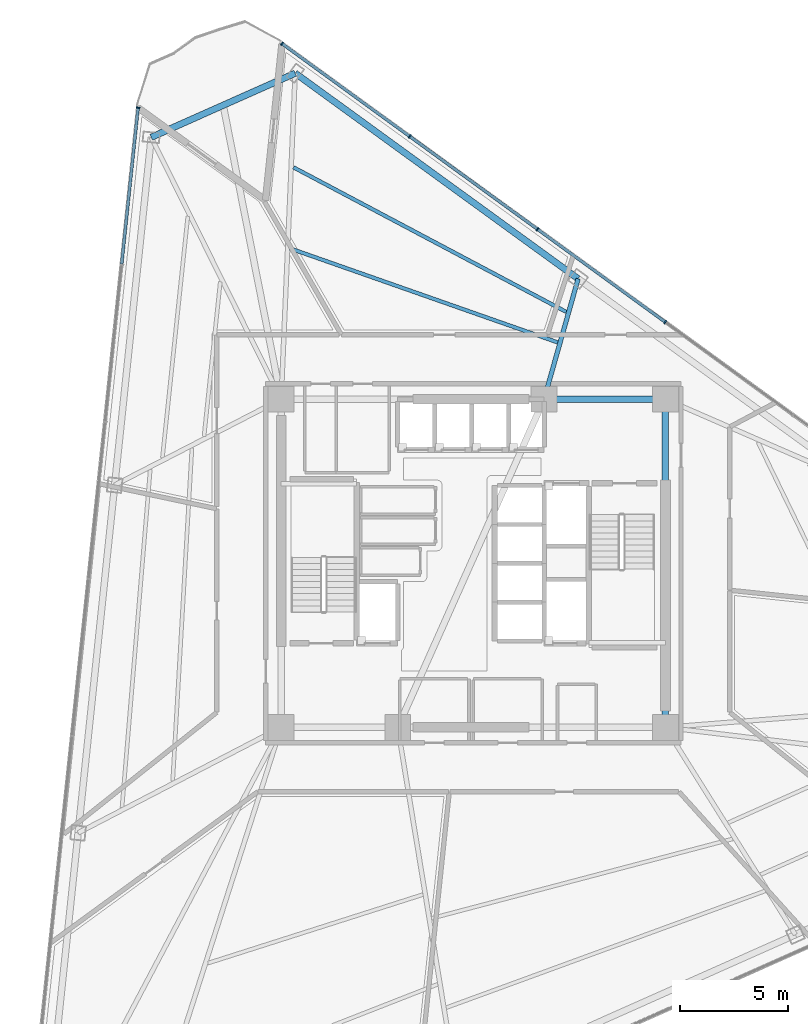
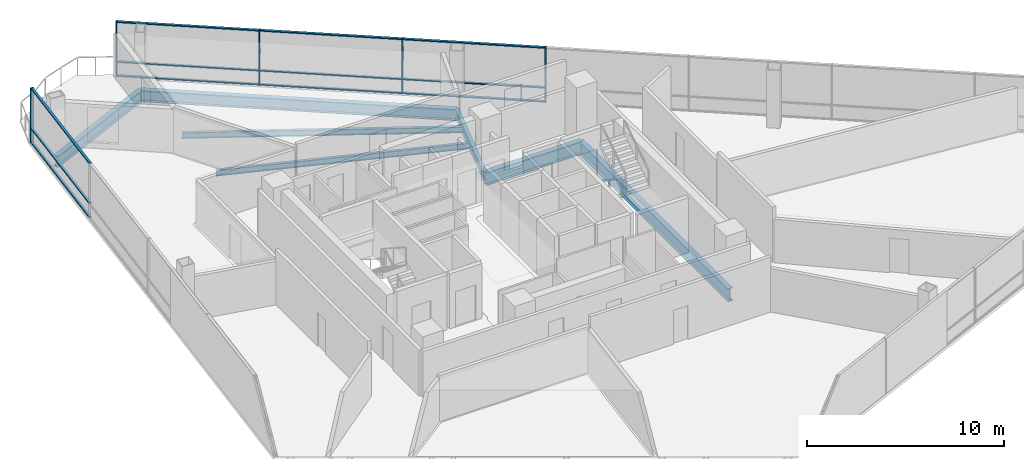
# One storey, part 8 of 19: 17 members, 7 beams, 2 elements without a shape of their own.
"""IFC4 building model written with IfcOpenShell, lengths in metres."""

from ifc_helpers import new_model, si_unit, direction, frame, origin, origin_2d, place, context, subcontext, project, spatial, rectangle, i_section, extrude, material, layer, layer_set, material_profile, profile_set, type_object, element, aggregate, save


model = new_model("IFC4")

# Units and contexts
model_context = context("Model", 3, precision=1e-05, world=origin(), true_north=direction((0.0, 1.0)))
body_context = subcontext(model_context, "Body", "Model", "MODEL_VIEW")
ifc_project = project(units=[si_unit("LENGTHUNIT", "METRE"), si_unit("AREAUNIT", "SQUARE_METRE"), si_unit("VOLUMEUNIT", "CUBIC_METRE"), si_unit("PLANEANGLEUNIT", "RADIAN"), si_unit("MASSUNIT", "GRAM", prefix="KILO")], contexts=[model_context])

# Site, building, storey
site_placement = place(None, origin())
site = spatial("IfcSite", under=ifc_project, at=site_placement, CompositionType="ELEMENT")
building_placement = place(site_placement, origin())
building = spatial("IfcBuilding", under=site, at=building_placement, Name="Tharavind Bronze Gate", CompositionType="ELEMENT")
storey_placement = place(building_placement, frame((0.0, 0.0, 126.85009765625)))
storey = spatial("IfcBuildingStorey", under=building, at=storey_placement, Name="L32", CompositionType="ELEMENT", Elevation=126.85009765625)

# Curtain wall, member
ifc_material_1 = material(Name="Anodised Bronze Aluminium", Category="aluminium")
ifc_layer = layer(ifc_material_1, 0.219970703125)
ifc_layer_set = layer_set([ifc_layer], Name="Anodised Bronze Aluminium")
curtain_wall_type = type_object("IfcCurtainWallType", Name="UNITISED CURTAIN WALL LOWER OFFICE", PredefinedType="USERDEFINED", material=ifc_layer_set)
curtain_wall_1_placement = place(storey_placement, origin())
curtain_wall_1 = element("IfcCurtainWall", 1, at=curtain_wall_1_placement, inside=storey, type_object=curtain_wall_type, Name="L32 unitised curtain wall lower office CW-L32-S1", ObjectType="UNITISED CURTAIN WALL", PredefinedType="USERDEFINED")
member_type_1 = type_object("IfcMemberType", Name="CURTAIN WALL BRONZE MULLION 65X180", PredefinedType="MULLION", material=ifc_material_1)
member_1_placement = place(storey_placement, frame((-15.527587890625, 21.101806640625, 0.0), z_axis=(0.0, 0.0, 1.0), x_axis=(-0.104526727499, -0.994522077803, 0.0)))
member_1 = element("IfcMember", 2, at=member_1_placement, type_object=member_type_1, Name="CW-L32-S1 mullion 1", PredefinedType="MULLION", context=body_context, shape_type="SweptSolid", body=[
    extrude(rectangle(XDim=0.06494140625, YDim=0.179931640625, at=origin_2d()), origin(), (0.0, 0.0, 1.0), 3.409912109375),
])

# Curtain wall, members
curtain_wall_2_placement = place(storey_placement, origin())
curtain_wall_2 = element("IfcCurtainWall", 3, at=curtain_wall_2_placement, inside=storey, type_object=curtain_wall_type, Name="L32 unitised curtain wall lower office CW-L32-S3", ObjectType="UNITISED CURTAIN WALL", PredefinedType="USERDEFINED")
member_2_placement = place(storey_placement, frame((8.89111328125, 11.1748046875, 0.0), z_axis=(0.0, 0.0, 1.0), x_axis=(-0.809016994375, 0.587785252292, 0.0)))
member_2 = element("IfcMember", 4, at=member_2_placement, type_object=member_type_1, Name="CW-L32-S3 mullion 5", PredefinedType="MULLION", context=body_context, shape_type="SweptSolid", body=[
    extrude(rectangle(XDim=0.06494140625, YDim=0.179931640625, at=origin_2d()), origin(), (0.0, 0.0, 1.0), 3.409912109375),
])
member_3_placement = place(storey_placement, frame((2.974609375, 15.473388671875, 0.0), z_axis=(0.0, 0.0, 1.0), x_axis=(-0.809016994375, 0.587785252292, 0.0)))
member_3 = element("IfcMember", 5, at=member_3_placement, type_object=member_type_1, Name="CW-L32-S3 mullion 6", PredefinedType="MULLION", context=body_context, shape_type="SweptSolid", body=[
    extrude(rectangle(XDim=0.06494140625, YDim=0.179931640625, at=origin_2d()), origin(), (0.0, 0.0, 1.0), 3.409912109375),
])
member_4_placement = place(storey_placement, frame((-2.942138671875, 19.772216796875, 0.0), z_axis=(0.0, 0.0, 1.0), x_axis=(-0.809016994375, 0.587785252292, 0.0)))
member_4 = element("IfcMember", 6, at=member_4_placement, type_object=member_type_1, Name="CW-L32-S3 mullion 7", PredefinedType="MULLION", context=body_context, shape_type="SweptSolid", body=[
    extrude(rectangle(XDim=0.06494140625, YDim=0.179931640625, at=origin_2d()), origin(), (0.0, 0.0, 1.0), 3.409912109375),
])
member_5_placement = place(storey_placement, frame((-8.85888671875, 24.07080078125, 0.0), z_axis=(0.0, 0.0, 1.0), x_axis=(-0.809016994375, 0.587785252292, 0.0)))
member_5 = element("IfcMember", 7, at=member_5_placement, type_object=member_type_1, Name="CW-L32-S3 mullion 8", PredefinedType="MULLION", context=body_context, shape_type="SweptSolid", body=[
    extrude(rectangle(XDim=0.06494140625, YDim=0.179931640625, at=origin_2d()), origin(), (0.0, 0.0, 1.0), 3.409912109375),
])

# Member
member_type_2 = type_object("IfcMemberType", Name="CURTAIN WALL BRONZE TRANSOM 65X140", PredefinedType="USERDEFINED", material=ifc_material_1)
member_6_placement = place(storey_placement, frame((-15.909912109375, 17.465087890625, 0.0), z_axis=(0.0, 0.0, 1.0), x_axis=(-0.104526727499, -0.994522077803, 0.0)))
member_6 = element("IfcMember", 8, at=member_6_placement, type_object=member_type_2, Name="CW-L32-S1 transom TB1", ObjectType="TRANSOM", PredefinedType="USERDEFINED", context=body_context, shape_type="SweptSolid", body=[
    extrude(rectangle(XDim=7.26025390625, YDim=0.139892578125, at=origin_2d()), origin(), (0.0, 0.0, 1.0), 0.06494140625),
])

member_7_placement = place(storey_placement, frame((-15.909912109375, 17.465087890625, 0.867431640625), z_axis=(0.0, 0.0, 1.0), x_axis=(-0.104526727499, -0.994522077803, 0.0)))
member_7 = element("IfcMember", 9, at=member_7_placement, type_object=member_type_2, Name="CW-L32-S1 transom TS1", ObjectType="TRANSOM", PredefinedType="USERDEFINED", context=body_context, shape_type="SweptSolid", body=[
    extrude(rectangle(XDim=7.26025390625, YDim=0.139892578125, at=origin_2d()), origin(), (0.0, 0.0, 1.0), 0.06494140625),
])

member_8_placement = place(storey_placement, frame((-15.909912109375, 17.465087890625, 3.344970703125), z_axis=(0.0, 0.0, 1.0), x_axis=(-0.104526727499, -0.994522077803, 0.0)))
member_8 = element("IfcMember", 10, at=member_8_placement, type_object=member_type_2, Name="CW-L32-S1 transom TT1", ObjectType="TRANSOM", PredefinedType="USERDEFINED", context=body_context, shape_type="SweptSolid", body=[
    extrude(rectangle(XDim=7.26025390625, YDim=0.139892578125, at=origin_2d()), origin(), (0.0, 0.0, 1.0), 0.06494140625),
])

aggregate(curtain_wall_1, [member_1, member_6, member_7, member_8])

member_9_placement = place(storey_placement, frame((5.932861328125, 13.32421875, 0.0), z_axis=(0.0, 0.0, 1.0), x_axis=(-0.809016994375, 0.587785252292, 0.0)))
member_9 = element("IfcMember", 11, at=member_9_placement, type_object=member_type_2, Name="CW-L32-S3 transom TB5", ObjectType="TRANSOM", PredefinedType="USERDEFINED", context=body_context, shape_type="SweptSolid", body=[
    extrude(rectangle(XDim=7.260498046875, YDim=0.139892578125, at=origin_2d()), origin(), (0.0, 0.0, 1.0), 0.06494140625),
])

member_10_placement = place(storey_placement, frame((5.932861328125, 13.32421875, 0.867431640625), z_axis=(0.0, 0.0, 1.0), x_axis=(-0.809016994375, 0.587785252292, 0.0)))
member_10 = element("IfcMember", 12, at=member_10_placement, type_object=member_type_2, Name="CW-L32-S3 transom TS5", ObjectType="TRANSOM", PredefinedType="USERDEFINED", context=body_context, shape_type="SweptSolid", body=[
    extrude(rectangle(XDim=7.260498046875, YDim=0.139892578125, at=origin_2d()), origin(), (0.0, 0.0, 1.0), 0.06494140625),
])

member_11_placement = place(storey_placement, frame((5.932861328125, 13.32421875, 3.344970703125), z_axis=(0.0, 0.0, 1.0), x_axis=(-0.809016994375, 0.587785252292, 0.0)))
member_11 = element("IfcMember", 13, at=member_11_placement, type_object=member_type_2, Name="CW-L32-S3 transom TT5", ObjectType="TRANSOM", PredefinedType="USERDEFINED", context=body_context, shape_type="SweptSolid", body=[
    extrude(rectangle(XDim=7.260498046875, YDim=0.139892578125, at=origin_2d()), origin(), (0.0, 0.0, 1.0), 0.06494140625),
])

member_12_placement = place(storey_placement, frame((0.01611328125, 17.622802734375, 0.0), z_axis=(0.0, 0.0, 1.0), x_axis=(-0.809016994375, 0.587785252292, 0.0)))
member_12 = element("IfcMember", 14, at=member_12_placement, type_object=member_type_2, Name="CW-L32-S3 transom TB6", ObjectType="TRANSOM", PredefinedType="USERDEFINED", context=body_context, shape_type="SweptSolid", body=[
    extrude(rectangle(XDim=7.260498046875, YDim=0.139892578125, at=origin_2d()), origin(), (0.0, 0.0, 1.0), 0.06494140625),
])

member_13_placement = place(storey_placement, frame((0.01611328125, 17.622802734375, 0.867431640625), z_axis=(0.0, 0.0, 1.0), x_axis=(-0.809016994375, 0.587785252292, 0.0)))
member_13 = element("IfcMember", 15, at=member_13_placement, type_object=member_type_2, Name="CW-L32-S3 transom TS6", ObjectType="TRANSOM", PredefinedType="USERDEFINED", context=body_context, shape_type="SweptSolid", body=[
    extrude(rectangle(XDim=7.260498046875, YDim=0.139892578125, at=origin_2d()), origin(), (0.0, 0.0, 1.0), 0.06494140625),
])

member_14_placement = place(storey_placement, frame((0.01611328125, 17.622802734375, 3.344970703125), z_axis=(0.0, 0.0, 1.0), x_axis=(-0.809016994375, 0.587785252292, 0.0)))
member_14 = element("IfcMember", 16, at=member_14_placement, type_object=member_type_2, Name="CW-L32-S3 transom TT6", ObjectType="TRANSOM", PredefinedType="USERDEFINED", context=body_context, shape_type="SweptSolid", body=[
    extrude(rectangle(XDim=7.260498046875, YDim=0.139892578125, at=origin_2d()), origin(), (0.0, 0.0, 1.0), 0.06494140625),
])

member_15_placement = place(storey_placement, frame((-5.900390625, 21.921630859375, 0.0), z_axis=(0.0, 0.0, 1.0), x_axis=(-0.809016994375, 0.587785252292, 0.0)))
member_15 = element("IfcMember", 17, at=member_15_placement, type_object=member_type_2, Name="CW-L32-S3 transom TB7", ObjectType="TRANSOM", PredefinedType="USERDEFINED", context=body_context, shape_type="SweptSolid", body=[
    extrude(rectangle(XDim=7.260498046875, YDim=0.139892578125, at=origin_2d()), origin(), (0.0, 0.0, 1.0), 0.06494140625),
])

member_16_placement = place(storey_placement, frame((-5.900390625, 21.921630859375, 0.867431640625), z_axis=(0.0, 0.0, 1.0), x_axis=(-0.809016994375, 0.587785252292, 0.0)))
member_16 = element("IfcMember", 18, at=member_16_placement, type_object=member_type_2, Name="CW-L32-S3 transom TS7", ObjectType="TRANSOM", PredefinedType="USERDEFINED", context=body_context, shape_type="SweptSolid", body=[
    extrude(rectangle(XDim=7.260498046875, YDim=0.139892578125, at=origin_2d()), origin(), (0.0, 0.0, 1.0), 0.06494140625),
])

member_17_placement = place(storey_placement, frame((-5.900390625, 21.921630859375, 3.344970703125), z_axis=(0.0, 0.0, 1.0), x_axis=(-0.809016994375, 0.587785252292, 0.0)))
member_17 = element("IfcMember", 19, at=member_17_placement, type_object=member_type_2, Name="CW-L32-S3 transom TT7", ObjectType="TRANSOM", PredefinedType="USERDEFINED", context=body_context, shape_type="SweptSolid", body=[
    extrude(rectangle(XDim=7.260498046875, YDim=0.139892578125, at=origin_2d()), origin(), (0.0, 0.0, 1.0), 0.06494140625),
])

aggregate(curtain_wall_2, [member_2, member_3, member_4, member_5, member_9, member_10, member_11, member_12, member_13, member_14, member_15, member_16, member_17])

# Beams
ifc_material_2 = material(Name="Steel S355", Category="steel")
ifc_material_profile_1 = material_profile(ifc_material_2, i_section(OverallWidth=0.2099609375, OverallDepth=0.550048828125, WebThickness=0.010986328125, FlangeThickness=0.01708984375, at=origin_2d()), Name="IPE550")
ifc_profile_set_1 = profile_set([ifc_material_profile_1], Name="Steel S355")
beam_type_1 = type_object("IfcBeamType", Name="PRIMARY GIRDER IPE550", PredefinedType="USERDEFINED", material=ifc_profile_set_1)
beam_1_placement = place(storey_placement, frame((4.856201171875, 13.179443359375, -0.465087890625), z_axis=(-0.271861210874, -0.962336470275, 0.0), x_axis=(0.962336470275, -0.271861210874, 0.0)))
element("IfcBeam", 20, at=beam_1_placement, inside=storey, type_object=beam_type_1, Name="L32 primary girder ipe550 BM-L32-RAD11", ObjectType="GIRDER", PredefinedType="USERDEFINED", context=body_context, shape_type="SweptSolid", body=[
    extrude(i_section(OverallWidth=0.2099609375, OverallDepth=0.550048828125, WebThickness=0.010986328125, FlangeThickness=0.01708984375, at=origin_2d()), origin(), (0.0, 0.0, 1.0), 5.797607421875),
])
ifc_material_profile_2 = material_profile(ifc_material_2, i_section(OverallWidth=0.300048828125, OverallDepth=0.699951171875, WebThickness=0.01708984375, FlangeThickness=0.031982421875, at=origin_2d()), Name="HE700B")
ifc_profile_set_2 = profile_set([ifc_material_profile_2], Name="Steel S355")
beam_type_2 = type_object("IfcBeamType", Name="RING GIRDER HE700B", PredefinedType="USERDEFINED", material=ifc_profile_set_2)
beam_2_placement = place(storey_placement, frame((4.856201171875, 13.179443359375, -0.5400390625), z_axis=(-0.809014294341, 0.587788968553, 0.0), x_axis=(-0.587788968553, -0.809014294341, 0.0)))
element("IfcBeam", 21, at=beam_2_placement, inside=storey, type_object=beam_type_2, Name="L32 ring girder he700b BM-L32-PRG11", ObjectType="GIRDER", PredefinedType="USERDEFINED", context=body_context, shape_type="SweptSolid", body=[
    extrude(i_section(OverallWidth=0.300048828125, OverallDepth=0.699951171875, WebThickness=0.01708984375, FlangeThickness=0.031982421875, at=origin_2d()), origin(), (0.0, 0.0, 1.0), 16.198486328125),
])
beam_3_placement = place(storey_placement, frame((-8.24853515625, 22.70068359375, -0.5400390625), z_axis=(-0.913543802, -0.40674036169, 0.0), x_axis=(0.40674036169, -0.913543802, 0.0)))
element("IfcBeam", 22, at=beam_3_placement, inside=storey, type_object=beam_type_2, Name="L32 ring girder he700b BM-L32-PRG12", ObjectType="GIRDER", PredefinedType="USERDEFINED", context=body_context, shape_type="SweptSolid", body=[
    extrude(i_section(OverallWidth=0.300048828125, OverallDepth=0.699951171875, WebThickness=0.01708984375, FlangeThickness=0.031982421875, at=origin_2d()), origin(), (0.0, 0.0, 1.0), 7.300048828125),
])
ifc_material_profile_3 = material_profile(ifc_material_2, i_section(OverallWidth=0.300048828125, OverallDepth=0.800048828125, WebThickness=0.017578125, FlangeThickness=0.032958984375, at=origin_2d()), Name="HE800B")
ifc_profile_set_3 = profile_set([ifc_material_profile_3], Name="Steel S355")
beam_type_3 = type_object("IfcBeamType", Name="RING GIRDER HE800B", PredefinedType="USERDEFINED", material=ifc_profile_set_3)
beam_4_placement = place(storey_placement, frame((8.89990234375, -7.60009765625, -0.590087890625), z_axis=(0.0, 1.0, 0.0), x_axis=(-1.0, 0.0, 0.0)))
element("IfcBeam", 23, at=beam_4_placement, inside=storey, type_object=beam_type_3, Name="L32 ring girder he800b BM-L32-CR3", ObjectType="GIRDER", PredefinedType="USERDEFINED", context=body_context, shape_type="SweptSolid", body=[
    extrude(i_section(OverallWidth=0.300048828125, OverallDepth=0.800048828125, WebThickness=0.017578125, FlangeThickness=0.032958984375, at=origin_2d()), origin(), (0.0, 0.0, 1.0), 15.2001953125),
])
beam_5_placement = place(storey_placement, frame((8.89990234375, 7.60009765625, -0.590087890625), z_axis=(-1.0, 0.0, 0.0), x_axis=(0.0, -1.0, 0.0)))
element("IfcBeam", 24, at=beam_5_placement, inside=storey, type_object=beam_type_3, Name="L32 ring girder he800b BM-L32-CR4", ObjectType="GIRDER", PredefinedType="USERDEFINED", context=body_context, shape_type="SweptSolid", body=[
    extrude(i_section(OverallWidth=0.300048828125, OverallDepth=0.800048828125, WebThickness=0.017578125, FlangeThickness=0.032958984375, at=origin_2d()), origin(), (0.0, 0.0, 1.0), 5.619873046875),
])
ifc_material_profile_4 = material_profile(ifc_material_2, i_section(OverallWidth=0.169921875, OverallDepth=0.360107421875, WebThickness=0.008056640625, FlangeThickness=0.0126953125, at=origin_2d()), Name="IPE360")
ifc_profile_set_4 = profile_set([ifc_material_profile_4], Name="Steel S355")
beam_type_4 = type_object("IfcBeamType", Name="SECONDARY FLOOR JOIST IPE360", PredefinedType="JOIST", material=ifc_profile_set_4)
beam_6_placement = place(storey_placement, frame((3.909912109375, 10.230712890625, -0.3701171875), z_axis=(-0.94354019652, 0.33125805281, 0.0), x_axis=(-0.33125805281, -0.94354019652, 0.0)))
element("IfcBeam", 25, at=beam_6_placement, inside=storey, type_object=beam_type_4, Name="L32 secondary floor joist ipe360 BM-L32-JSTA11", PredefinedType="JOIST", context=body_context, shape_type="SweptSolid", body=[
    extrude(i_section(OverallWidth=0.169921875, OverallDepth=0.360107421875, WebThickness=0.008056640625, FlangeThickness=0.0126953125, at=origin_2d()), origin(), (0.0, 0.0, 1.0), 13.1416015625),
])
beam_7_placement = place(storey_placement, frame((4.30859375, 11.6416015625, -0.3701171875), z_axis=(-0.883525360926, 0.468383322291, 0.0), x_axis=(-0.468383322291, -0.883525360926, 0.0)))
element("IfcBeam", 26, at=beam_7_placement, inside=storey, type_object=beam_type_4, Name="L32 secondary floor joist ipe360 BM-L32-JSTB11", PredefinedType="JOIST", context=body_context, shape_type="SweptSolid", body=[
    extrude(i_section(OverallWidth=0.169921875, OverallDepth=0.360107421875, WebThickness=0.008056640625, FlangeThickness=0.0126953125, at=origin_2d()), origin(), (0.0, 0.0, 1.0), 14.30224609375),
])

save(model, "model.ifc")
